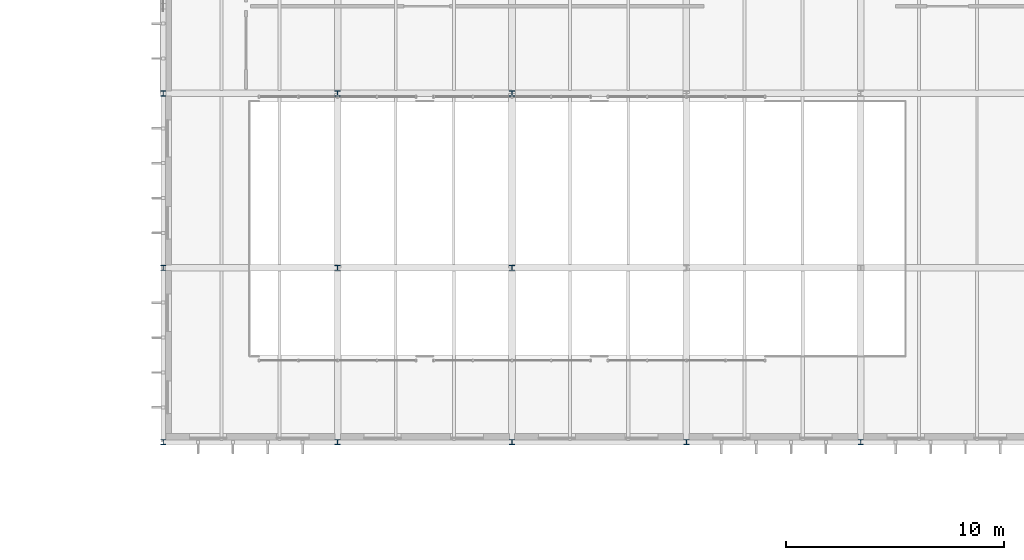
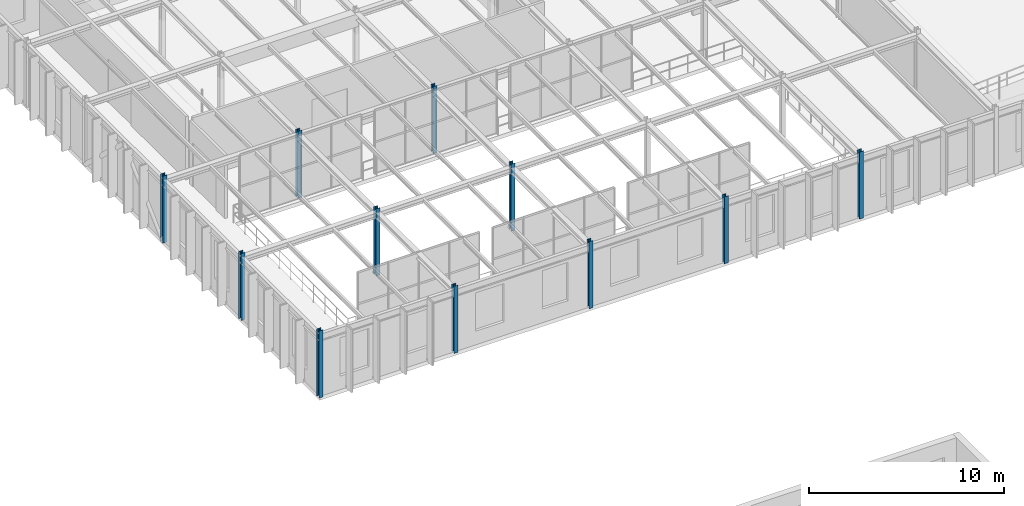
# One storey, part 6 of 124: 11 columns.
"""IFC4 building model written with IfcOpenShell, lengths in metres."""

from ifc_helpers import new_model, si_unit, direction, frame, origin, origin_2d, place, context, subcontext, project, spatial, i_section, extrude, material, material_profile, profile_set, type_object, element, save


model = new_model("IFC4")

# Units and contexts
model_context = context("Model", 3, precision=1e-05, world=origin(), true_north=direction((0.0, 1.0)))
body_context = subcontext(model_context, "Body", "Model", "MODEL_VIEW")
ifc_project = project(units=[si_unit("LENGTHUNIT", "METRE"), si_unit("AREAUNIT", "SQUARE_METRE"), si_unit("VOLUMEUNIT", "CUBIC_METRE"), si_unit("PLANEANGLEUNIT", "RADIAN"), si_unit("MASSUNIT", "GRAM", prefix="KILO")], contexts=[model_context])

# Site, building, storey
site_placement = place(None, origin())
site = spatial("IfcSite", under=ifc_project, at=site_placement, CompositionType="ELEMENT")
building_placement = place(site_placement, origin())
building = spatial("IfcBuilding", under=site, at=building_placement, Name="Sundkrona Museum", CompositionType="ELEMENT")
storey_placement = place(building_placement, frame((0.0, 0.0, 17.60009765625)))
storey = spatial("IfcBuildingStorey", under=building, at=storey_placement, Name="L03", CompositionType="ELEMENT", Elevation=17.60009765625)

# Columns
ifc_material = material(Name="Steel S355J2", Category="steel")
ifc_material_profile = material_profile(ifc_material, i_section(OverallWidth=0.239990234375, OverallDepth=0.239990234375, WebThickness=0.010009765625, FlangeThickness=0.01708984375, FilletRadius=0.02099609375, at=origin_2d()), Name="HEB 240")
ifc_profile_set = profile_set([ifc_material_profile], Name="Steel S355J2")
column_type = type_object("IfcColumnType", Name="C-HEB240", PredefinedType="COLUMN", material=ifc_profile_set)
for number, where, z_axis, x_axis, name in (
    (1, (16.0, 78.0, 0.0), (0.0, 0.0, 1.0), (1.0, 0.0, 0.0), "L03 Column L/3"),
    (2, (16.0, 86.0, 0.0), (0.0, 0.0, 1.0), (1.0, 0.0, 0.0), "L03 Column M/3"),
    (3, (16.0, 94.0, 0.0), (0.0, 0.0, 1.0), (1.0, 0.0, 0.0), "L03 Column N/3"),
    (4, (24.0, 78.0, 0.0), (0.0, 0.0, 1.0), (1.0, 0.0, 0.0), "L03 Column L/4"),
    (5, (24.0, 86.0, 0.0), (0.0, 0.0, 1.0), (1.0, 0.0, 0.0), "L03 Column M/4"),
    (6, (24.0, 94.0, 0.0), (0.0, 0.0, 1.0), (1.0, 0.0, 0.0), "L03 Column N/4"),
    (7, (32.0, 78.0, 0.0), (0.0, 0.0, 1.0), (1.0, 0.0, 0.0), "L03 Column L/5"),
    (8, (32.0, 86.0, 0.0), (0.0, 0.0, 1.0), (1.0, 0.0, 0.0), "L03 Column M/5"),
    (9, (32.0, 94.0, 0.0), (0.0, 0.0, 1.0), (1.0, 0.0, 0.0), "L03 Column N/5"),
    (10, (40.0, 78.0, 0.0), (0.0, 0.0, 1.0), (1.0, 0.0, 0.0), "L03 Column L/6"),
    (11, (48.0, 78.0, 0.0), (0.0, 0.0, 1.0), (1.0, 0.0, 0.0), "L03 Column L/7"),
):
    element("IfcColumn", number, at=place(storey_placement, frame(where, z_axis=z_axis, x_axis=x_axis)), inside=storey, type_object=column_type, Name=name, PredefinedType="COLUMN", context=body_context, shape_type="SweptSolid", body=[
        extrude(i_section(OverallWidth=0.239990234375, OverallDepth=0.239990234375, WebThickness=0.010009765625, FlangeThickness=0.01708984375, FilletRadius=0.02099609375, at=origin_2d()), origin(), (0.0, 0.0, 1.0), 4.199951171875),
    ])

save(model, "model.ifc")
